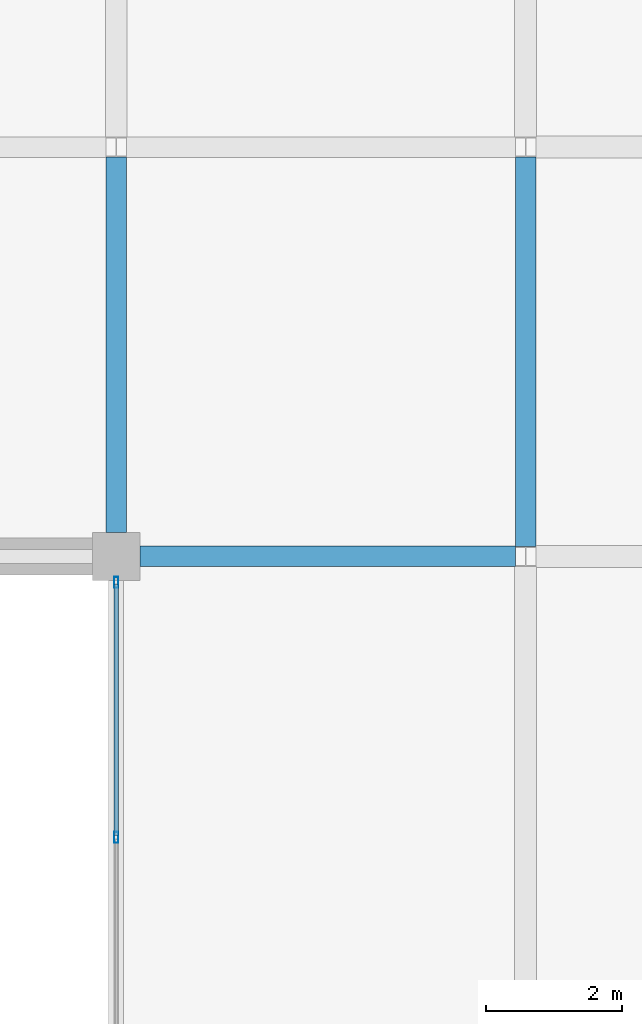
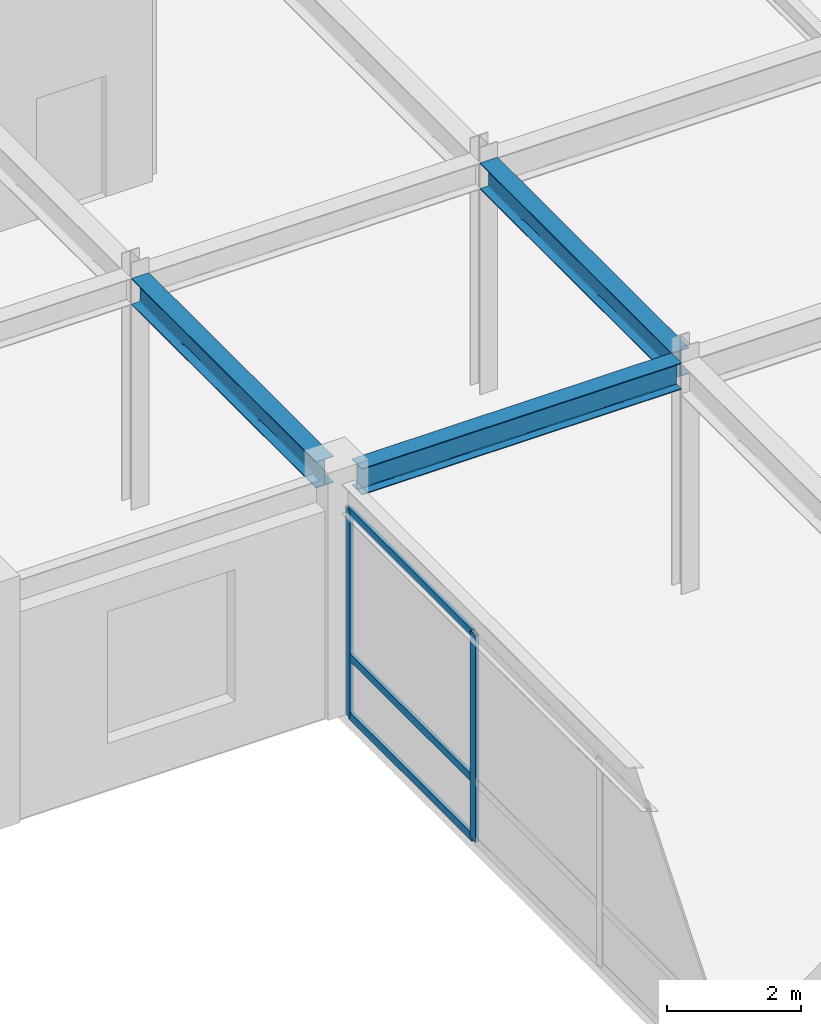
# One storey, part 58 of 108: 5 members, 3 beams, 1 element without a shape of its own.
"""IFC4 building model written with IfcOpenShell, lengths in metres."""

import ifcopenshell
import ifcopenshell.guid

model = None  # the IFC model being written
_history = None  # IfcOwnerHistory: only IFC2X3 demands one
_inside = {}  # id of a spatial element -> (the spatial element, [elements in it])
_under = {}  # id of a project, library or spatial element -> (it, [spatial elements below it])
_declared = {}  # id of a project -> (the project, [libraries it declares])
_typed = {}  # id of a type object -> (the type object, [elements of that type])
_made_of = {}  # id of a material, layer set ... -> (it, [elements and type objects made of it])


def new_model(schema):
    """Start an empty IFC model of exactly this schema.

    Asked for "IFC4X3", IfcOpenShell would pick the latest addendum, in which some entities
    have other attributes; the version numbers below select the first issue.
    IFC2X3 requires an IfcOwnerHistory on every rooted entity: one is made here for all.
    """
    global model, _history
    if schema == "IFC4X3":
        model = ifcopenshell.file(schema_version=(4, 3, 0, 0))
    else:
        model = ifcopenshell.file(schema=schema)
    _inside.clear()
    _under.clear()
    _declared.clear()
    _typed.clear()
    _made_of.clear()
    _history = None
    if model.schema == "IFC2X3":
        org = make("IfcOrganization", Name="unknown")
        user = make(
            "IfcPersonAndOrganization",
            ThePerson=make("IfcPerson", FamilyName="unknown"),
            TheOrganization=org,
        )
        app = make(
            "IfcApplication",
            ApplicationDeveloper=org,
            Version="unknown",
            ApplicationFullName="unknown",
            ApplicationIdentifier="unknown",
        )
        _history = make(
            "IfcOwnerHistory",
            OwningUser=user,
            OwningApplication=app,
            ChangeAction="ADDED",
            CreationDate=0,
        )
    return model


def make(cls, **values):
    """One entity of the class cls with the attributes given. An attribute that is None is left unset."""
    return model.create_entity(
        cls, **{name: value for name, value in values.items() if value is not None}
    )


def rooted(cls, **values):
    """An entity with a GlobalId (a new one), such as an element, a storey or a relation."""
    return make(cls, GlobalId=ifcopenshell.guid.new(), OwnerHistory=_history, **values)


def si_unit(unit_type, name, prefix=None):
    """IfcSIUnit, for example si_unit("LENGTHUNIT", "METRE", prefix="MILLI")."""
    return make("IfcSIUnit", UnitType=unit_type, Prefix=prefix, Name=name)


def assignment(units):
    """IfcUnitAssignment: the units of a project."""
    return None if units is None else make("IfcUnitAssignment", Units=units)


def point(xyz):
    """IfcCartesianPoint."""
    return None if xyz is None else make("IfcCartesianPoint", Coordinates=xyz)


def direction(xyz):
    """IfcDirection."""
    return None if xyz is None else make("IfcDirection", DirectionRatios=xyz)


def frame(location, z_axis=None, x_axis=None):
    """IfcAxis2Placement3D, a coordinate frame: its origin and axes. An axis left out is left unset."""
    return make(
        "IfcAxis2Placement3D",
        Location=point(location),
        Axis=direction(z_axis),
        RefDirection=direction(x_axis),
    )


def frame_2d(location, x_axis=None):
    """IfcAxis2Placement2D, a coordinate frame in the plane: its origin and x axis."""
    return make(
        "IfcAxis2Placement2D", Location=point(location), RefDirection=direction(x_axis)
    )


def origin():
    """The frame at (0, 0, 0) with its axes left unset."""
    return frame((0.0, 0.0, 0.0))


def origin_2d():
    """The frame at (0, 0) in the plane with its x axis left unset."""
    return frame_2d((0.0, 0.0))


def place(relative_to, where):
    """IfcLocalPlacement: puts the frame where relative to a parent placement (None: the world)."""
    return make(
        "IfcLocalPlacement", PlacementRelTo=relative_to, RelativePlacement=where
    )


def context(
    kind, dimensions, precision=None, world=None, true_north=None, identifier=None
):
    """IfcGeometricRepresentationContext, for example the 3D "Model" context."""
    return make(
        "IfcGeometricRepresentationContext",
        ContextIdentifier=identifier,
        ContextType=kind,
        CoordinateSpaceDimension=dimensions,
        Precision=precision,
        WorldCoordinateSystem=world,
        TrueNorth=true_north,
    )


def subcontext(parent, identifier, kind, view, scale=None):
    """IfcGeometricRepresentationSubContext, for example "Body" below "Model"."""
    return make(
        "IfcGeometricRepresentationSubContext",
        ContextIdentifier=identifier,
        ContextType=kind,
        ParentContext=parent,
        TargetScale=scale,
        TargetView=view,
    )


def project(units=None, contexts=None):
    """IfcProject with its units and contexts."""
    return rooted(
        "IfcProject",
        Name="project",
        RepresentationContexts=contexts,
        UnitsInContext=assignment(units),
    )


def spatial(cls, under=None, at=None, **own):
    """A site, building, storey or space (cls), placed at a placement, below another one or the project."""
    s = rooted(cls, ObjectPlacement=at, **own)
    if under is not None:
        _under.setdefault(under.id(), (under, []))[1].append(s)
    return s


def profile(cls, at=None, kind="AREA", **sizes):
    """A parametric profile (cls). Its sizes go by their IFC names, for example OverallWidth=200.0."""
    return make(cls, ProfileType=kind, Position=at, **sizes)


def hollow_rectangle(**sizes):
    """IfcRectangleHollowProfileDef."""
    return profile("IfcRectangleHollowProfileDef", **sizes)


def i_section(**sizes):
    """IfcIShapeProfileDef."""
    return profile("IfcIShapeProfileDef", **sizes)


def extrude(swept, where, along, depth):
    """IfcExtrudedAreaSolid: the profile swept, set in the frame where, extruded along a direction by depth."""
    return make(
        "IfcExtrudedAreaSolid",
        SweptArea=swept,
        Position=where,
        ExtrudedDirection=direction(along),
        Depth=depth,
    )


def shape(context_of_items, identifier, shape_type, items):
    """IfcShapeRepresentation: the items that make up one representation, for example the "Body"."""
    return make(
        "IfcShapeRepresentation",
        ContextOfItems=context_of_items,
        RepresentationIdentifier=identifier,
        RepresentationType=shape_type,
        Items=items,
    )


def material(Name=None, Category=None):
    """IfcMaterial."""
    return make("IfcMaterial", Name=Name, Category=Category)


def layer(
    of_material, thickness, ventilated=None, Name=None, Category=None, Priority=None
):
    """IfcMaterialLayer: one layer of a wall or slab, of a material (None: an air gap)."""
    return make(
        "IfcMaterialLayer",
        Material=of_material,
        LayerThickness=thickness,
        IsVentilated=ventilated,
        Name=Name,
        Category=Category,
        Priority=Priority,
    )


def layer_set(layers, Name=None):
    """IfcMaterialLayerSet."""
    return make("IfcMaterialLayerSet", MaterialLayers=layers, LayerSetName=Name)


def material_profile(
    of_material, cross_section, Name=None, Category=None, Priority=None
):
    """IfcMaterialProfile: a cross section and its material."""
    return make(
        "IfcMaterialProfile",
        Name=Name,
        Material=of_material,
        Profile=cross_section,
        Priority=Priority,
        Category=Category,
    )


def profile_set(profiles, Name=None, composite=None):
    """IfcMaterialProfileSet."""
    return make(
        "IfcMaterialProfileSet",
        Name=Name,
        MaterialProfiles=profiles,
        CompositeProfile=composite,
    )


def made_of(thing, what):
    """Note that an element or type object is made of a material, layer set ...; save() writes the relation."""
    if what is not None:
        _made_of.setdefault(what.id(), (what, []))[1].append(thing)
    return thing


def type_object(cls, material=None, **own):
    """A type object (cls), such as IfcWallType, which elements share."""
    return made_of(rooted(cls, **own), material)


def element(
    cls,
    number,
    at=None,
    inside=None,
    cuts=None,
    type_object=None,
    material=None,
    context=None,
    identifier="Body",
    shape_type=None,
    held_by="IfcProductDefinitionShape",
    body=None,
    shapes=None,
    **own,
):
    """One element of the class cls, such as IfcWall. Its Tag is "e" and its number.

    at: its placement. inside: the storey or other place that contains it. cuts: it is an
    opening in that element (IfcRelVoidsElement). A single representation is given by context,
    identifier, shape_type and body (its items); several are given by shapes. held_by: the class
    of the entity that holds the representations. save() writes the other relations.
    """
    e = rooted(cls, Tag="e%d" % number, ObjectPlacement=at, **own)
    if body is not None:
        shapes = [shape(context, identifier, shape_type, body)]
    if shapes is not None:
        e.Representation = make(held_by, Representations=shapes)
    if inside is not None:
        _inside.setdefault(inside.id(), (inside, []))[1].append(e)
    if cuts is not None:
        rooted(
            "IfcRelVoidsElement", RelatingBuildingElement=cuts, RelatedOpeningElement=e
        )
    if type_object is not None:
        _typed.setdefault(type_object.id(), (type_object, []))[1].append(e)
    return made_of(e, material)


def aggregate(whole, parts):
    """IfcRelAggregates: a whole, such as a stair, and the parts it consists of."""
    return rooted("IfcRelAggregates", RelatingObject=whole, RelatedObjects=parts)


def save(model, path):
    """Write the relations noted so far, then the file.

    IfcRelAggregates (storeys below a building ...), IfcRelContainedInSpatialStructure (elements
    in a storey), IfcRelDefinesByType, IfcRelAssociatesMaterial and IfcRelDeclares: one each for
    every whole, place, type object, material and project.
    """
    for whole, parts in _under.values():
        aggregate(whole, parts)
    for where, things in _inside.values():
        rooted(
            "IfcRelContainedInSpatialStructure",
            RelatedElements=things,
            RelatingStructure=where,
        )
    for kind, things in _typed.values():
        rooted("IfcRelDefinesByType", RelatedObjects=things, RelatingType=kind)
    for what, things in _made_of.values():
        rooted("IfcRelAssociatesMaterial", RelatedObjects=things, RelatingMaterial=what)
    for by, libraries in _declared.values():
        rooted("IfcRelDeclares", RelatingContext=by, RelatedDefinitions=libraries)
    model.write(path)


model = new_model("IFC4")

# Units and contexts
model_context = context("Model", 3, precision=1e-05, world=origin(), true_north=direction((0.0, 1.0)))
body_context = subcontext(model_context, "Body", "Model", "MODEL_VIEW")
ifc_project = project(units=[si_unit("LENGTHUNIT", "METRE"), si_unit("AREAUNIT", "SQUARE_METRE"), si_unit("VOLUMEUNIT", "CUBIC_METRE"), si_unit("PLANEANGLEUNIT", "RADIAN"), si_unit("MASSUNIT", "GRAM", prefix="KILO")], contexts=[model_context])

# Site, building, storey
site_placement = place(None, origin())
site = spatial("IfcSite", under=ifc_project, at=site_placement, CompositionType="ELEMENT")
building_placement = place(site_placement, origin())
building = spatial("IfcBuilding", under=site, at=building_placement, Name="Zlatovratsky Civic Hall", CompositionType="ELEMENT")
storey_placement = place(building_placement, frame((0.0, 0.0, 12.0)))
storey = spatial("IfcBuildingStorey", under=building, at=storey_placement, Name="L03", CompositionType="ELEMENT", Elevation=12.0)

# Beams
ifc_material_1 = material(Name="Steel S355", Category="steel")
ifc_material_profile_1 = material_profile(ifc_material_1, i_section(OverallWidth=0.300048828125, OverallDepth=0.48193359375, WebThickness=0.010986328125, FlangeThickness=0.014892578125, FilletRadius=0.02392578125, at=origin_2d()), Name="50Sh1")
ifc_profile_set_1 = profile_set([ifc_material_profile_1], Name="Steel S355")
beam_type = type_object("IfcBeamType", Name="Beam_LibraryGirder_50Sh1", PredefinedType="BEAM", material=ifc_profile_set_1)
beam_1_placement = place(storey_placement, frame((114.35009765625, 12.0, 3.97900390625), z_axis=(1.0, 0.0, 0.0), x_axis=(0.0, 1.0, 0.0)))
element("IfcBeam", 1, at=beam_1_placement, inside=storey, type_object=beam_type, Name="BM-2497", PredefinedType="BEAM", context=body_context, shape_type="SweptSolid", body=[
    extrude(i_section(OverallWidth=0.300048828125, OverallDepth=0.48193359375, WebThickness=0.010986328125, FlangeThickness=0.014892578125, FilletRadius=0.02392578125, at=origin_2d()), origin(), (0.0, 0.0, 1.0), 5.50048828125),
])
beam_2_placement = place(storey_placement, frame((114.0, 12.35009765625, 3.97900390625), z_axis=(0.0, 1.0, 0.0), x_axis=(-1.0, 0.0, 0.0)))
element("IfcBeam", 2, at=beam_2_placement, inside=storey, type_object=beam_type, Name="BM-3014", PredefinedType="BEAM", context=body_context, shape_type="SweptSolid", body=[
    extrude(i_section(OverallWidth=0.300048828125, OverallDepth=0.48193359375, WebThickness=0.010986328125, FlangeThickness=0.014892578125, FilletRadius=0.02392578125, at=origin_2d()), origin(), (0.0, 0.0, 1.0), 5.501953125),
])
beam_3_placement = place(storey_placement, frame((120.0, 12.14794921875, 3.97900390625), z_axis=(0.0, 1.0, 0.0), x_axis=(-1.0, 0.0, 0.0)))
element("IfcBeam", 3, at=beam_3_placement, inside=storey, type_object=beam_type, Name="BM-3031", PredefinedType="BEAM", context=body_context, shape_type="SweptSolid", body=[
    extrude(i_section(OverallWidth=0.300048828125, OverallDepth=0.48193359375, WebThickness=0.010986328125, FlangeThickness=0.014892578125, FilletRadius=0.02392578125, at=origin_2d()), origin(), (0.0, 0.0, 1.0), 5.7041015625),
])

# Curtain wall, members
ifc_material_2 = material(Name="Anodised bronze aluminium", Category="aluminium")
ifc_layer = layer(ifc_material_2, 0.159912109375)
ifc_layer_set = layer_set([ifc_layer], Name="Anodised bronze aluminium")
curtain_wall_type = type_object("IfcCurtainWallType", Name="CurtainWall_Bronze_11300x3770_07", PredefinedType="NOTDEFINED", material=ifc_layer_set)
curtain_wall_placement = place(storey_placement, origin())
curtain_wall = element("IfcCurtainWall", 4, at=curtain_wall_placement, inside=storey, type_object=curtain_wall_type, Name="CW-046", PredefinedType="NOTDEFINED")
ifc_material_profile_2 = material_profile(ifc_material_2, hollow_rectangle(XDim=0.06005859375, YDim=0.159912109375, WallThickness=0.00390625, at=origin_2d()), Name="ALU 60x160x4")
ifc_profile_set_2 = profile_set([ifc_material_profile_2], Name="Anodised bronze aluminium")
member_type_1 = type_object("IfcMemberType", Name="CW_Mullion_60x160", PredefinedType="MULLION", material=ifc_profile_set_2)
member_1_placement = place(storey_placement, frame((114.0, 7.88330078125, 0.0), z_axis=(0.0, 0.0, 1.0), x_axis=(-1.0, 0.0, 0.0)))
member_1 = element("IfcMember", 5, at=member_1_placement, type_object=member_type_1, Name="CW-07 mullion 3", PredefinedType="MULLION", context=body_context, shape_type="SweptSolid", body=[
    extrude(hollow_rectangle(XDim=0.06005859375, YDim=0.159912109375, WallThickness=0.00390625, at=origin_2d()), origin(), (0.0, 0.0, 1.0), 3.77001953125),
])
member_2_placement = place(storey_placement, frame((114.0, 11.6201171875, 0.0), z_axis=(0.0, 0.0, 1.0), x_axis=(-1.0, 0.0, 0.0)))
member_2 = element("IfcMember", 6, at=member_2_placement, type_object=member_type_1, Name="CW-07 mullion 4", PredefinedType="MULLION", context=body_context, shape_type="SweptSolid", body=[
    extrude(hollow_rectangle(XDim=0.06005859375, YDim=0.159912109375, WallThickness=0.00390625, at=origin_2d()), origin(), (0.0, 0.0, 1.0), 3.77001953125),
])
ifc_material_profile_3 = material_profile(ifc_material_2, hollow_rectangle(XDim=0.06005859375, YDim=0.139892578125, WallThickness=0.00390625, at=origin_2d()), Name="ALU 60x140x4")
ifc_profile_set_3 = profile_set([ifc_material_profile_3], Name="Anodised bronze aluminium")
member_type_2 = type_object("IfcMemberType", Name="CW_Transom_60x140", PredefinedType="USERDEFINED", material=ifc_profile_set_3)
member_3_placement = place(storey_placement, frame((114.0, 7.913330078125, 0.030029296875), z_axis=(0.0, 1.0, 0.0), x_axis=(-1.0, 0.0, 0.0)))
member_3 = element("IfcMember", 7, at=member_3_placement, type_object=member_type_2, Name="CW-07 transom 3.1", ObjectType="TRANSOM", PredefinedType="USERDEFINED", context=body_context, shape_type="SweptSolid", body=[
    extrude(hollow_rectangle(XDim=0.06005859375, YDim=0.139892578125, WallThickness=0.00390625, at=origin_2d()), origin(), (0.0, 0.0, 1.0), 3.6767578125),
])
member_4_placement = place(storey_placement, frame((114.0, 7.913330078125, 1.10009765625), z_axis=(0.0, 1.0, 0.0), x_axis=(-1.0, 0.0, 0.0)))
member_4 = element("IfcMember", 8, at=member_4_placement, type_object=member_type_2, Name="CW-07 transom 3.2", ObjectType="TRANSOM", PredefinedType="USERDEFINED", context=body_context, shape_type="SweptSolid", body=[
    extrude(hollow_rectangle(XDim=0.06005859375, YDim=0.139892578125, WallThickness=0.00390625, at=origin_2d()), origin(), (0.0, 0.0, 1.0), 3.6767578125),
])
member_5_placement = place(storey_placement, frame((114.0, 7.913330078125, 3.739990234375), z_axis=(0.0, 1.0, 0.0), x_axis=(-1.0, 0.0, 0.0)))
member_5 = element("IfcMember", 9, at=member_5_placement, type_object=member_type_2, Name="CW-07 transom 3.3", ObjectType="TRANSOM", PredefinedType="USERDEFINED", context=body_context, shape_type="SweptSolid", body=[
    extrude(hollow_rectangle(XDim=0.06005859375, YDim=0.139892578125, WallThickness=0.00390625, at=origin_2d()), origin(), (0.0, 0.0, 1.0), 3.6767578125),
])
aggregate(curtain_wall, [member_1, member_2, member_3, member_4, member_5])

save(model, "model.ifc")
